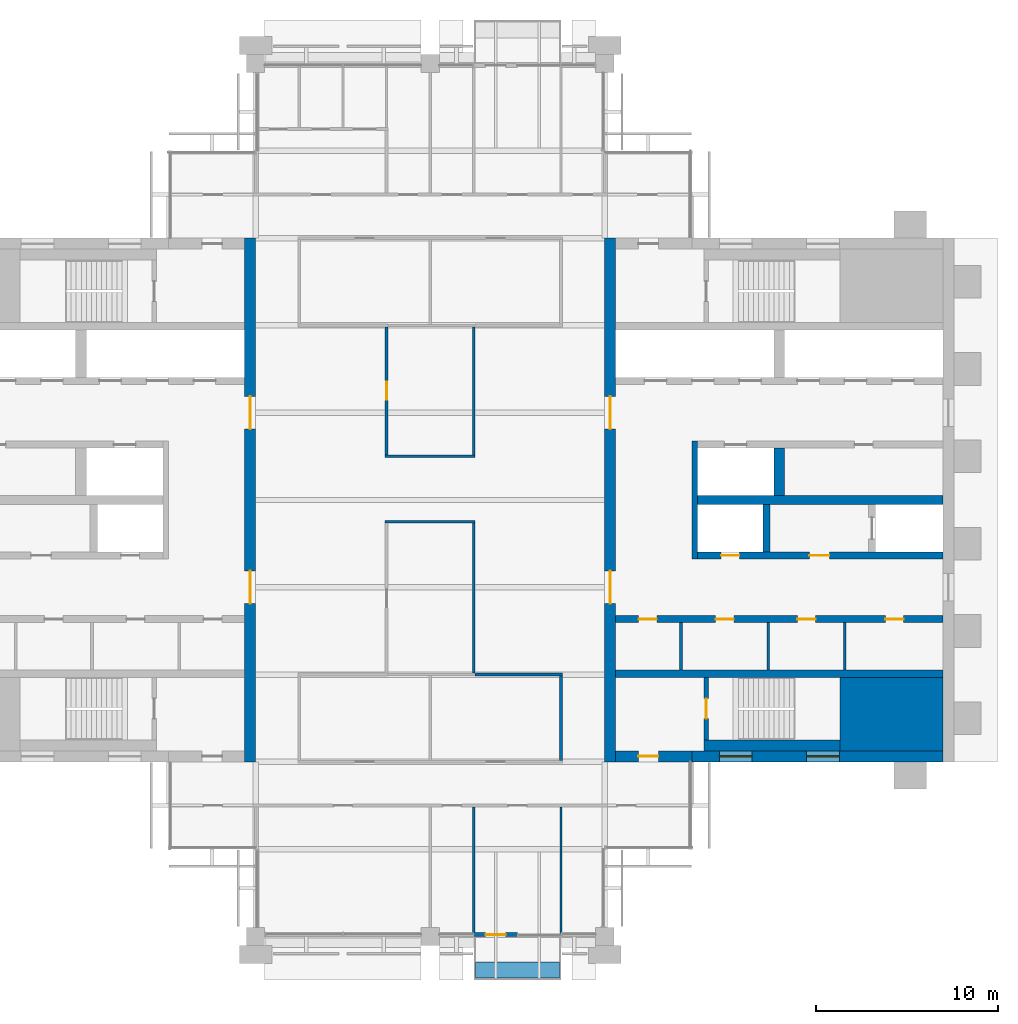
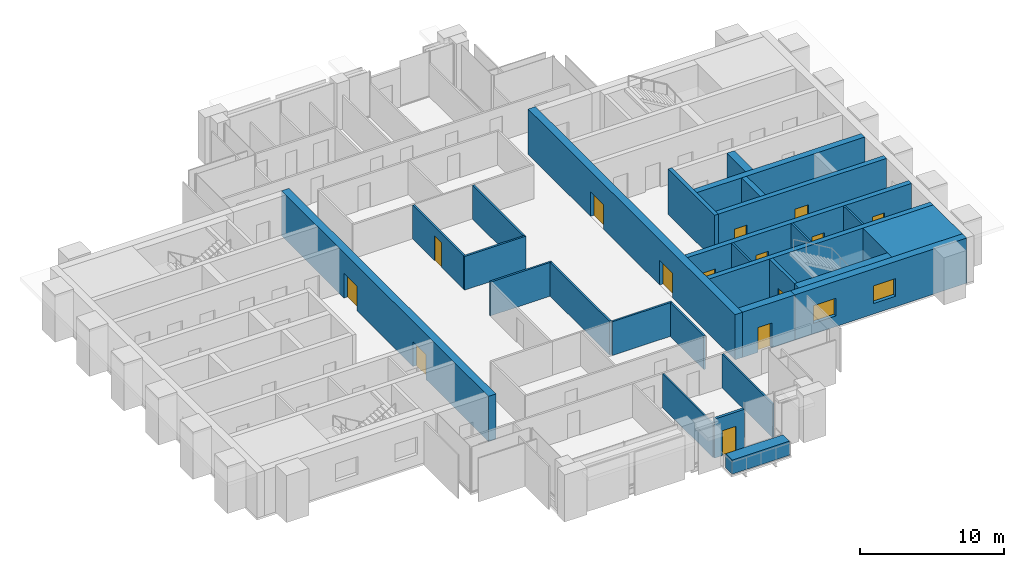
# One storey, part 9 of 13: 28 walls, 14 doors, 2 windows, 16 openings.
"""IFC4 building model written with IfcOpenShell, lengths in metres."""

from ifc_helpers import new_model, si_unit, direction, frame, frame_2d, origin, place, context, subcontext, project, spatial, rectangle, extrude, material, layer, layer_set, type_object, element, fill, save


model = new_model("IFC4")

# Units and contexts
model_context = context("Model", 3, precision=1e-05, world=origin(), true_north=direction((0.0, 1.0)))
body_context = subcontext(model_context, "Body", "Model", "MODEL_VIEW")
ifc_project = project(units=[si_unit("LENGTHUNIT", "METRE"), si_unit("AREAUNIT", "SQUARE_METRE"), si_unit("VOLUMEUNIT", "CUBIC_METRE"), si_unit("PLANEANGLEUNIT", "RADIAN"), si_unit("MASSUNIT", "GRAM", prefix="KILO")], contexts=[model_context])

# Site, building, storey
site_placement = place(None, origin())
site = spatial("IfcSite", under=ifc_project, at=site_placement, CompositionType="ELEMENT")
building_placement = place(site_placement, origin())
building = spatial("IfcBuilding", under=site, at=building_placement, Name="Baori Bourse Tower", CompositionType="ELEMENT")
storey_placement = place(building_placement, frame((0.0, 0.0, 302.300048828125)))
storey = spatial("IfcBuildingStorey", under=building, at=storey_placement, Name="L66", CompositionType="ELEMENT", Elevation=302.300048828125)

# Walls
ifc_material_1 = material(Name="Concrete f'c 40 MPa", Category="concrete")
wall_type_1 = type_object("IfcWallType", Name="Core corner block f'c 40", PredefinedType="SHEAR", material=ifc_material_1)
wall_1_placement = place(storey_placement, frame((51.35009765625, 12.22509765625, 0.0), z_axis=(0.0, 0.0, 1.0), x_axis=(1.0, 0.0, 0.0)))
element("IfcWall", 1, at=wall_1_placement, inside=storey, type_object=wall_type_1, Name="Core wall E05", PredefinedType="SHEAR", context=body_context, shape_type="SweptSolid", body=[
    extrude(rectangle(XDim=5.64990234375, YDim=4.050048828125, at=frame_2d((2.824951171875, 0.0))), origin(), (0.0, 0.0, 1.0), 3.83984375),
])
ifc_material_2 = material(Name="Blockwork partition", Category="masonry")
ifc_layer_1 = layer(ifc_material_2, 0.14990234375)
ifc_layer_set_1 = layer_set([ifc_layer_1], Name="Core partition 150")
wall_type_2 = type_object("IfcWallType", Name="Core partition 150", PredefinedType="PARTITIONING", material=ifc_layer_set_1)
for number, where, z_axis, x_axis, name in (
    (2, (51.60009765625, 14.64990234375, 0.0), (0.0, 0.0, 1.0), (0.0, 1.0, 0.0), "Partition wall E09"),
    (3, (47.39990234375, 14.64990234375, 0.0), (0.0, 0.0, 1.0), (0.0, 1.0, 0.0), "Partition wall E10"),
    (4, (42.60009765625, 14.64990234375, 0.0), (0.0, 0.0, 1.0), (0.0, 1.0, 0.0), "Partition wall E11"),
):
    element("IfcWall", number, at=place(storey_placement, frame(where, z_axis=z_axis, x_axis=x_axis)), inside=storey, type_object=wall_type_2, Name=name, PredefinedType="PARTITIONING", context=body_context, shape_type="SweptSolid", body=[
        extrude(rectangle(XDim=2.60009765625, YDim=0.14990234375, at=frame_2d((1.300048828125, 0.0))), origin(), (0.0, 0.0, 1.0), 3.83984375),
    ])

# Wall, openings, doors
ifc_material_3 = material(Name="Concrete f'c 40 MPa", Category="concrete")
ifc_layer_2 = layer(ifc_material_3, 0.60009765625)
ifc_layer_set_2 = layer_set([ifc_layer_2], Name="Core wall 600 f'c 40")
wall_type_3 = type_object("IfcWallType", Name="Core wall 600 f'c 40", PredefinedType="SHEAR", material=ifc_layer_set_2)
wall_2_placement = place(storey_placement, frame((18.89990234375, 38.39990234375, 0.0), z_axis=(0.0, 0.0, 1.0), x_axis=(0.0, -1.0, 0.0)))
wall_2 = element("IfcWall", 5, at=wall_2_placement, inside=storey, type_object=wall_type_3, Name="Core wall W04", PredefinedType="SHEAR", context=body_context, shape_type="SweptSolid", body=[
    extrude(rectangle(XDim=28.7998046875, YDim=0.60009765625, at=frame_2d((14.39990234375, 0.0))), origin(), (0.0, 0.0, 1.0), 3.83984375),
])
opening_1_placement = place(wall_2_placement, frame((18.300048828125, 0.0, 0.0)))
opening_1 = element("IfcOpeningElement", 6, at=opening_1_placement, cuts=wall_2, Name="Opening L66-D107", PredefinedType="OPENING", context=body_context, shape_type="SweptSolid", body=[
    extrude(rectangle(XDim=1.800048828125, YDim=2.10009765625, at=frame_2d((0.89990234375, 1.050048828125))), frame((0.0, 0.31005859375, 0.0), z_axis=(0.0, -1.0, 0.0), x_axis=(1.0, 0.0, 0.0)), (0.0, 0.0, 1.0), 0.6201171875),
])
opening_2_placement = place(wall_2_placement, frame((8.699951171875, 0.0, 0.0)))
opening_2 = element("IfcOpeningElement", 7, at=opening_2_placement, cuts=wall_2, Name="Opening L66-D108", PredefinedType="OPENING", context=body_context, shape_type="SweptSolid", body=[
    extrude(rectangle(XDim=1.800048828125, YDim=2.10009765625, at=frame_2d((0.89990234375, 1.050048828125))), frame((0.0, 0.31005859375, 0.0), z_axis=(0.0, -1.0, 0.0), x_axis=(1.0, 0.0, 0.0)), (0.0, 0.0, 1.0), 0.6201171875),
])
ifc_material_4 = material(Name="Painted steel door", Category="steel")
door_type_1 = type_object("IfcDoorType", Name="Core lobby door 1800", OperationType="DOUBLE_DOOR_SINGLE_SWING", PredefinedType="DOOR", material=ifc_material_4)
door_1_placement = place(opening_1_placement, origin())
door_1 = element("IfcDoor", 8, at=door_1_placement, inside=storey, type_object=door_type_1, Name="Lobby door W L66", OperationType="DOUBLE_DOOR_SINGLE_SWING", OverallHeight=2.10009765625, OverallWidth=1.800048828125, PredefinedType="DOOR", context=body_context, shape_type="SweptSolid", body=[
    extrude(rectangle(XDim=1.800048828125, YDim=2.10009765625, at=frame_2d((0.89990234375, 1.050048828125))), frame((0.0, 0.02490234375, 0.0), z_axis=(0.0, -1.0, 0.0), x_axis=(1.0, 0.0, 0.0)), (0.0, 0.0, 1.0), 0.050048828125),
])
fill(opening_1, door_1)
door_2_placement = place(opening_2_placement, origin())
door_2 = element("IfcDoor", 9, at=door_2_placement, inside=storey, type_object=door_type_1, Name="Lobby door W L66", OperationType="DOUBLE_DOOR_SINGLE_SWING", OverallHeight=2.10009765625, OverallWidth=1.800048828125, PredefinedType="DOOR", context=body_context, shape_type="SweptSolid", body=[
    extrude(rectangle(XDim=1.800048828125, YDim=2.10009765625, at=frame_2d((0.89990234375, 1.050048828125))), frame((0.0, 0.02490234375, 0.0), z_axis=(0.0, -1.0, 0.0), x_axis=(1.0, 0.0, 0.0)), (0.0, 0.0, 1.0), 0.050048828125),
])
fill(opening_2, door_2)

# Wall, openings, windows
wall_3_placement = place(storey_placement, frame((57.0, 9.89990234375, 0.0), z_axis=(0.0, 0.0, 1.0), x_axis=(-1.0, 0.0, 0.0)))
wall_3 = element("IfcWall", 10, at=wall_3_placement, inside=storey, type_object=wall_type_3, Name="Core wall E02", PredefinedType="SHEAR", context=body_context, shape_type="SweptSolid", body=[
    extrude(rectangle(XDim=13.800048828125, YDim=0.60009765625, at=frame_2d((6.89990234375, 0.0))), origin(), (0.0, 0.0, 1.0), 3.83984375),
])
opening_3_placement = place(wall_3_placement, frame((5.699951171875, 0.0, 0.89990234375)))
opening_3 = element("IfcOpeningElement", 11, at=opening_3_placement, cuts=wall_3, Name="Opening L66-KW203", PredefinedType="OPENING", context=body_context, shape_type="SweptSolid", body=[
    extrude(rectangle(XDim=1.800048828125, YDim=1.5, at=frame_2d((0.89990234375, 0.75))), frame((0.0, 0.31005859375, 0.0), z_axis=(0.0, -1.0, 0.0), x_axis=(1.0, 0.0, 0.0)), (0.0, 0.0, 1.0), 0.6201171875),
])
opening_4_placement = place(wall_3_placement, frame((10.5, 0.0, 0.89990234375)))
opening_4 = element("IfcOpeningElement", 12, at=opening_4_placement, cuts=wall_3, Name="Opening L66-KW204", PredefinedType="OPENING", context=body_context, shape_type="SweptSolid", body=[
    extrude(rectangle(XDim=1.800048828125, YDim=1.5, at=frame_2d((0.89990234375, 0.75))), frame((0.0, 0.31005859375, 0.0), z_axis=(0.0, -1.0, 0.0), x_axis=(1.0, 0.0, 0.0)), (0.0, 0.0, 1.0), 0.6201171875),
])
ifc_material_5 = material(Name="Pale anodised aluminium", Category="aluminium")
window_type = type_object("IfcWindowType", Name="Stair window 1800 x 1500", PartitioningType="SINGLE_PANEL", PredefinedType="WINDOW", material=ifc_material_5)
window_1_placement = place(opening_3_placement, origin())
window_1 = element("IfcWindow", 13, at=window_1_placement, inside=storey, type_object=window_type, Name="Stair window E L66 3", OverallHeight=1.5, OverallWidth=1.800048828125, PartitioningType="SINGLE_PANEL", PredefinedType="WINDOW", context=body_context, shape_type="SweptSolid", body=[
    extrude(rectangle(XDim=1.800048828125, YDim=1.5, at=frame_2d((0.89990234375, 0.75))), frame((0.0, 0.030029296875, 0.0), z_axis=(0.0, -1.0, 0.0), x_axis=(1.0, 0.0, 0.0)), (0.0, 0.0, 1.0), 0.06005859375),
])
fill(opening_3, window_1)
window_2_placement = place(opening_4_placement, origin())
window_2 = element("IfcWindow", 14, at=window_2_placement, inside=storey, type_object=window_type, Name="Stair window E L66 4", OverallHeight=1.5, OverallWidth=1.800048828125, PartitioningType="SINGLE_PANEL", PredefinedType="WINDOW", context=body_context, shape_type="SweptSolid", body=[
    extrude(rectangle(XDim=1.800048828125, YDim=1.5, at=frame_2d((0.89990234375, 0.75))), frame((0.0, 0.030029296875, 0.0), z_axis=(0.0, -1.0, 0.0), x_axis=(1.0, 0.0, 0.0)), (0.0, 0.0, 1.0), 0.06005859375),
])
fill(opening_4, window_2)

# Wall, opening, door
wall_4_placement = place(storey_placement, frame((43.199951171875, 9.89990234375, 0.0), z_axis=(0.0, 0.0, 1.0), x_axis=(-1.0, 0.0, 0.0)))
wall_4 = element("IfcWall", 15, at=wall_4_placement, inside=storey, type_object=wall_type_3, Name="Core wall E03", PredefinedType="SHEAR", context=body_context, shape_type="SweptSolid", body=[
    extrude(rectangle(XDim=4.199951171875, YDim=0.60009765625, at=frame_2d((2.10009765625, 0.0))), origin(), (0.0, 0.0, 1.0), 3.83984375),
])
opening_5_placement = place(wall_4_placement, frame((1.85009765625, 0.0, 0.0)))
opening_5 = element("IfcOpeningElement", 16, at=opening_5_placement, cuts=wall_4, Name="Opening L66-D202", PredefinedType="OPENING", context=body_context, shape_type="SweptSolid", body=[
    extrude(rectangle(XDim=1.10009765625, YDim=2.10009765625, at=frame_2d((0.550048828125, 1.050048828125))), frame((0.0, 0.31005859375, 0.0), z_axis=(0.0, -1.0, 0.0), x_axis=(1.0, 0.0, 0.0)), (0.0, 0.0, 1.0), 0.6201171875),
])
ifc_material_6 = material(Name="Painted steel door", Category="steel")
door_type_2 = type_object("IfcDoorType", Name="Stair door 1100", OperationType="SINGLE_SWING_LEFT", PredefinedType="DOOR", material=ifc_material_6)
door_3_placement = place(opening_5_placement, origin())
door_3 = element("IfcDoor", 17, at=door_3_placement, inside=storey, type_object=door_type_2, Name="Stair vestibule door A E L66", OperationType="SINGLE_SWING_LEFT", OverallHeight=2.10009765625, OverallWidth=1.10009765625, PredefinedType="DOOR", context=body_context, shape_type="SweptSolid", body=[
    extrude(rectangle(XDim=1.10009765625, YDim=2.10009765625, at=frame_2d((0.550048828125, 1.050048828125))), frame((0.0, 0.02490234375, 0.0), z_axis=(0.0, -1.0, 0.0), x_axis=(1.0, 0.0, 0.0)), (0.0, 0.0, 1.0), 0.050048828125),
])
fill(opening_5, door_3)

# Wall, openings, doors
wall_5_placement = place(storey_placement, frame((38.699951171875, 9.60009765625, 0.0), z_axis=(0.0, 0.0, 1.0), x_axis=(0.0, 1.0, 0.0)))
wall_5 = element("IfcWall", 18, at=wall_5_placement, inside=storey, type_object=wall_type_3, Name="Core wall E04", PredefinedType="SHEAR", context=body_context, shape_type="SweptSolid", body=[
    extrude(rectangle(XDim=28.7998046875, YDim=0.60009765625, at=frame_2d((14.39990234375, 0.0))), origin(), (0.0, 0.0, 1.0), 3.83984375),
])
opening_6_placement = place(wall_5_placement, frame((8.699951171875, 0.0, 0.0)))
opening_6 = element("IfcOpeningElement", 19, at=opening_6_placement, cuts=wall_5, Name="Opening L66-D207", PredefinedType="OPENING", context=body_context, shape_type="SweptSolid", body=[
    extrude(rectangle(XDim=1.800048828125, YDim=2.10009765625, at=frame_2d((0.89990234375, 1.050048828125))), frame((0.0, 0.31005859375, 0.0), z_axis=(0.0, -1.0, 0.0), x_axis=(1.0, 0.0, 0.0)), (0.0, 0.0, 1.0), 0.6201171875),
])
opening_7_placement = place(wall_5_placement, frame((18.300048828125, 0.0, 0.0)))
opening_7 = element("IfcOpeningElement", 20, at=opening_7_placement, cuts=wall_5, Name="Opening L66-D208", PredefinedType="OPENING", context=body_context, shape_type="SweptSolid", body=[
    extrude(rectangle(XDim=1.800048828125, YDim=2.10009765625, at=frame_2d((0.89990234375, 1.050048828125))), frame((0.0, 0.31005859375, 0.0), z_axis=(0.0, -1.0, 0.0), x_axis=(1.0, 0.0, 0.0)), (0.0, 0.0, 1.0), 0.6201171875),
])
door_4_placement = place(opening_6_placement, origin())
door_4 = element("IfcDoor", 21, at=door_4_placement, inside=storey, type_object=door_type_1, Name="Lobby door E L66", OperationType="DOUBLE_DOOR_SINGLE_SWING", OverallHeight=2.10009765625, OverallWidth=1.800048828125, PredefinedType="DOOR", context=body_context, shape_type="SweptSolid", body=[
    extrude(rectangle(XDim=1.800048828125, YDim=2.10009765625, at=frame_2d((0.89990234375, 1.050048828125))), frame((0.0, 0.02490234375, 0.0), z_axis=(0.0, -1.0, 0.0), x_axis=(1.0, 0.0, 0.0)), (0.0, 0.0, 1.0), 0.050048828125),
])
fill(opening_6, door_4)
door_5_placement = place(opening_7_placement, origin())
door_5 = element("IfcDoor", 22, at=door_5_placement, inside=storey, type_object=door_type_1, Name="Lobby door E L66", OperationType="DOUBLE_DOOR_SINGLE_SWING", OverallHeight=2.10009765625, OverallWidth=1.800048828125, PredefinedType="DOOR", context=body_context, shape_type="SweptSolid", body=[
    extrude(rectangle(XDim=1.800048828125, YDim=2.10009765625, at=frame_2d((0.89990234375, 1.050048828125))), frame((0.0, 0.02490234375, 0.0), z_axis=(0.0, -1.0, 0.0), x_axis=(1.0, 0.0, 0.0)), (0.0, 0.0, 1.0), 0.050048828125),
])
fill(opening_7, door_5)

# Walls
ifc_material_7 = material(Name="Gypsum board partition")
ifc_layer_3 = layer(ifc_material_7, 0.14990234375)
ifc_layer_set_3 = layer_set([ifc_layer_3], Name="Corridor partition 150")
wall_type_4 = type_object("IfcWallType", Name="Corridor partition 150", PredefinedType="PARTITIONING", material=ifc_layer_set_3)
wall_6_placement = place(storey_placement, frame((31.27490234375, 14.39990234375, 0.0), z_axis=(0.0, 0.0, 1.0), x_axis=(1.0, 0.0, 0.0)))
element("IfcWall", 23, at=wall_6_placement, inside=storey, type_object=wall_type_4, Name="Partition", PredefinedType="PARTITIONING", context=body_context, shape_type="SweptSolid", body=[
    extrude(rectangle(XDim=4.800048828125, YDim=0.14990234375, at=frame_2d((2.39990234375, 0.0))), origin(), (0.0, 0.0, 1.0), 2.86962890625),
])
for number, where, z_axis, x_axis, name in (
    (24, (26.324951171875, 22.800048828125, 0.0), (0.0, 0.0, 1.0), (1.0, 0.0, 0.0), "Partition"),
    (25, (26.324951171875, 26.39990234375, 0.0), (0.0, 0.0, 1.0), (1.0, 0.0, 0.0), "Partition"),
):
    element("IfcWall", number, at=place(storey_placement, frame(where, z_axis=z_axis, x_axis=x_axis)), inside=storey, type_object=wall_type_4, Name=name, PredefinedType="PARTITIONING", context=body_context, shape_type="SweptSolid", body=[
        extrude(rectangle(XDim=4.949951171875, YDim=0.14990234375, at=frame_2d((2.47509765625, 0.0))), origin(), (0.0, 0.0, 1.0), 2.86962890625),
    ])

# Wall, opening, door
wall_7_placement = place(storey_placement, frame((26.39990234375, 26.47509765625, 0.0), z_axis=(0.0, 0.0, 1.0), x_axis=(0.0, 1.0, 0.0)))
wall_7 = element("IfcWall", 26, at=wall_7_placement, inside=storey, type_object=wall_type_4, Name="Partition", PredefinedType="PARTITIONING", context=body_context, shape_type="SweptSolid", body=[
    extrude(rectangle(XDim=7.0498046875, YDim=0.14990234375, at=frame_2d((3.52490234375, 0.0))), origin(), (0.0, 0.0, 1.0), 2.86962890625),
])
opening_8_placement = place(wall_7_placement, frame((3.02490234375, 0.0, 0.0)))
opening_8 = element("IfcOpeningElement", 27, at=opening_8_placement, cuts=wall_7, Name="Opening L66-D21", PredefinedType="OPENING", context=body_context, shape_type="SweptSolid", body=[
    extrude(rectangle(XDim=1.0, YDim=2.10009765625, at=frame_2d((0.5, 1.050048828125))), frame((0.0, 0.0849609375, 0.0), z_axis=(0.0, -1.0, 0.0), x_axis=(1.0, 0.0, 0.0)), (0.0, 0.0, 1.0), 0.169921875),
])
ifc_material_8 = material(Name="Timber door leaf", Category="wood")
door_type_3 = type_object("IfcDoorType", Name="Door 1000 x 2100", OperationType="SINGLE_SWING_LEFT", PredefinedType="DOOR", material=ifc_material_8)
door_6_placement = place(opening_8_placement, origin())
door_6 = element("IfcDoor", 28, at=door_6_placement, inside=storey, type_object=door_type_3, Name="Door", OperationType="SINGLE_SWING_LEFT", OverallHeight=2.10009765625, OverallWidth=1.0, PredefinedType="DOOR", context=body_context, shape_type="SweptSolid", body=[
    extrude(rectangle(XDim=1.0, YDim=2.10009765625, at=frame_2d((0.5, 1.050048828125))), frame((0.0, 0.02490234375, 0.0), z_axis=(0.0, -1.0, 0.0), x_axis=(1.0, 0.0, 0.0)), (0.0, 0.0, 1.0), 0.050048828125),
])
fill(opening_8, door_6)

# Walls
wall_8_placement = place(storey_placement, frame((31.199951171875, 14.47509765625, 0.0), z_axis=(0.0, 0.0, 1.0), x_axis=(0.0, 1.0, 0.0)))
element("IfcWall", 29, at=wall_8_placement, inside=storey, type_object=wall_type_4, Name="Partition", PredefinedType="PARTITIONING", context=body_context, shape_type="SweptSolid", body=[
    extrude(rectangle(XDim=8.25, YDim=0.14990234375, at=frame_2d((4.125, 0.0))), origin(), (0.0, 0.0, 1.0), 2.86962890625),
])
wall_9_placement = place(storey_placement, frame((31.199951171875, 26.47509765625, 0.0), z_axis=(0.0, 0.0, 1.0), x_axis=(0.0, 1.0, 0.0)))
element("IfcWall", 30, at=wall_9_placement, inside=storey, type_object=wall_type_4, Name="Partition", PredefinedType="PARTITIONING", context=body_context, shape_type="SweptSolid", body=[
    extrude(rectangle(XDim=7.0498046875, YDim=0.14990234375, at=frame_2d((3.52490234375, 0.0))), origin(), (0.0, 0.0, 1.0), 2.86962890625),
])
wall_10_placement = place(storey_placement, frame((36.0, 9.675048828125, 0.0), z_axis=(0.0, 0.0, 1.0), x_axis=(0.0, 1.0, 0.0)))
element("IfcWall", 31, at=wall_10_placement, inside=storey, type_object=wall_type_4, Name="Partition", PredefinedType="PARTITIONING", context=body_context, shape_type="SweptSolid", body=[
    extrude(rectangle(XDim=4.64990234375, YDim=0.14990234375, at=frame_2d((2.324951171875, 0.0))), origin(), (0.0, 0.0, 1.0), 2.86962890625),
])

# Wall, opening, door
ifc_material_9 = material(Name="Pale anodised aluminium", Category="aluminium")
ifc_layer_4 = layer(ifc_material_9, 0.199951171875)
ifc_layer_set_4 = layer_set([ifc_layer_4], Name="EW1 External wall bay")
wall_type_5 = type_object("IfcWallType", Name="EW1 External wall bay", PredefinedType="SOLIDWALL", material=ifc_layer_set_4)
wall_11_placement = place(storey_placement, frame((31.199951171875, 0.10009765625, 0.0), z_axis=(0.0, 0.0, 1.0), x_axis=(1.0, 0.0, 0.0)))
wall_11 = element("IfcWall", 32, at=wall_11_placement, inside=storey, type_object=wall_type_5, Name="External wall bay L66 2", PredefinedType="SOLIDWALL", context=body_context, shape_type="SweptSolid", body=[
    extrude(rectangle(XDim=2.400146484375, YDim=0.199951171875, at=frame_2d((1.2001953125, 0.0))), origin(), (0.0, 0.0, 1.0), 3.314208984375),
])
opening_9_placement = place(wall_11_placement, frame((0.64990234375, 0.0, 0.0)))
opening_9 = element("IfcOpeningElement", 33, at=opening_9_placement, cuts=wall_11, Name="Opening L66-D92", PredefinedType="OPENING", context=body_context, shape_type="SweptSolid", body=[
    extrude(rectangle(XDim=1.10009765625, YDim=2.10009765625, at=frame_2d((0.550048828125, 1.050048828125))), frame((0.0, 0.10986328125, 0.0), z_axis=(0.0, -1.0, 0.0), x_axis=(1.0, 0.0, 0.0)), (0.0, 0.0, 1.0), 0.219970703125),
])
ifc_material_10 = material(Name="Pale anodised aluminium", Category="aluminium")
door_type_4 = type_object("IfcDoorType", Name="BL1 Balcony door", OperationType="SINGLE_SWING_LEFT", PredefinedType="DOOR", material=ifc_material_10)
door_7_placement = place(opening_9_placement, origin())
door_7 = element("IfcDoor", 34, at=door_7_placement, inside=storey, type_object=door_type_4, Name="Balcony door L66 2", OperationType="SINGLE_SWING_LEFT", OverallHeight=2.10009765625, OverallWidth=1.10009765625, PredefinedType="DOOR", context=body_context, shape_type="SweptSolid", body=[
    extrude(rectangle(XDim=1.10009765625, YDim=2.10009765625, at=frame_2d((0.550048828125, 1.050048828125))), frame((0.0, 0.02490234375, 0.0), z_axis=(0.0, -1.0, 0.0), x_axis=(1.0, 0.0, 0.0)), (0.0, 0.0, 1.0), 0.050048828125),
])
fill(opening_9, door_7)

# Walls
ifc_material_11 = material(Name="Concrete f'c 40 MPa", Category="concrete")
ifc_layer_5 = layer(ifc_material_11, 0.89990234375)
ifc_layer_set_5 = layer_set([ifc_layer_5], Name="PW1 Planter wall")
wall_type_6 = type_object("IfcWallType", Name="PW1 Planter wall", PredefinedType="USERDEFINED", material=ifc_layer_set_5)
wall_12_placement = place(storey_placement, frame((31.300048828125, -1.85009765625, 0.0), z_axis=(0.0, 0.0, 1.0), x_axis=(1.0, 0.0, 0.0)))
element("IfcWall", 35, at=wall_12_placement, inside=storey, type_object=wall_type_6, Name="Planter balcony S L66 1", ObjectType="PLANTER", PredefinedType="USERDEFINED", context=body_context, shape_type="SweptSolid", body=[
    extrude(rectangle(XDim=4.599853515625, YDim=0.89990234375, at=frame_2d((2.2998046875, 0.0))), origin(), (0.0, 0.0, 1.0), 1.199951171875),
])
ifc_material_12 = material(Name="Gypsum board partition")
ifc_layer_6 = layer(ifc_material_12, 0.125)
ifc_layer_set_6 = layer_set([ifc_layer_6], Name="Partition 125")
wall_type_7 = type_object("IfcWallType", Name="Partition 125", PredefinedType="PARTITIONING", material=ifc_layer_set_6)
for number, where, z_axis, x_axis, name in (
    (36, (31.199951171875, 0.10009765625, 0.0), (0.0, 0.0, 1.0), (0.0, 1.0, 0.0), "Partition"),
    (37, (36.0, 0.10009765625, 0.0), (0.0, 0.0, 1.0), (0.0, 1.0, 0.0), "Partition"),
):
    element("IfcWall", number, at=place(storey_placement, frame(where, z_axis=z_axis, x_axis=x_axis)), inside=storey, type_object=wall_type_7, Name=name, PredefinedType="PARTITIONING", context=body_context, shape_type="SweptSolid", body=[
        extrude(rectangle(XDim=7.02490234375, YDim=0.125, at=frame_2d((3.512451171875, 0.0))), origin(), (0.0, 0.0, 1.0), 2.86962890625),
    ])

# Wall, opening, door
ifc_material_13 = material(Name="Concrete f'c 40 MPa", Category="concrete")
ifc_layer_7 = layer(ifc_material_13, 0.25)
ifc_layer_set_7 = layer_set([ifc_layer_7], Name="Shaft wall 250 f'c 40")
wall_type_8 = type_object("IfcWallType", Name="Shaft wall 250 f'c 40", PredefinedType="SHEAR", material=ifc_layer_set_7)
wall_13_placement = place(storey_placement, frame((43.97509765625, 10.800048828125, 0.0), z_axis=(0.0, 0.0, 1.0), x_axis=(0.0, 1.0, 0.0)))
wall_13 = element("IfcWall", 38, at=wall_13_placement, inside=storey, type_object=wall_type_8, Name="Core wall E07", PredefinedType="SHEAR", context=body_context, shape_type="SweptSolid", body=[
    extrude(rectangle(XDim=3.449951171875, YDim=0.25, at=frame_2d((1.72509765625, 0.0))), origin(), (0.0, 0.0, 1.0), 3.83984375),
])
opening_10_placement = place(wall_13_placement, frame((1.175048828125, 0.0, 0.0)))
opening_10 = element("IfcOpeningElement", 39, at=opening_10_placement, cuts=wall_13, Name="Opening L66-D201", PredefinedType="OPENING", context=body_context, shape_type="SweptSolid", body=[
    extrude(rectangle(XDim=1.10009765625, YDim=2.10009765625, at=frame_2d((0.550048828125, 1.050048828125))), frame((0.0, 0.135009765625, 0.0), z_axis=(0.0, -1.0, 0.0), x_axis=(1.0, 0.0, 0.0)), (0.0, 0.0, 1.0), 0.27001953125),
])
door_8_placement = place(opening_10_placement, origin())
door_8 = element("IfcDoor", 40, at=door_8_placement, inside=storey, type_object=door_type_2, Name="Stair door A E L66", OperationType="SINGLE_SWING_LEFT", OverallHeight=2.10009765625, OverallWidth=1.10009765625, PredefinedType="DOOR", context=body_context, shape_type="SweptSolid", body=[
    extrude(rectangle(XDim=1.10009765625, YDim=2.10009765625, at=frame_2d((0.550048828125, 1.050048828125))), frame((0.0, 0.02490234375, 0.0), z_axis=(0.0, -1.0, 0.0), x_axis=(1.0, 0.0, 0.0)), (0.0, 0.0, 1.0), 0.050048828125),
])
fill(opening_10, door_8)

# Walls
ifc_material_14 = material(Name="Concrete f'c 40 MPa", Category="concrete")
ifc_layer_8 = layer(ifc_material_14, 0.300048828125)
ifc_layer_set_8 = layer_set([ifc_layer_8], Name="Shaft wall 300 f'c 40")
wall_type_9 = type_object("IfcWallType", Name="Shaft wall 300 f'c 40", PredefinedType="SHEAR", material=ifc_layer_set_8)
wall_14_placement = place(storey_placement, frame((43.35009765625, 20.75, 0.0), z_axis=(0.0, 0.0, 1.0), x_axis=(0.0, 1.0, 0.0)))
element("IfcWall", 41, at=wall_14_placement, inside=storey, type_object=wall_type_9, Name="Core wall E14", PredefinedType="SHEAR", context=body_context, shape_type="SweptSolid", body=[
    extrude(rectangle(XDim=6.5, YDim=0.300048828125, at=frame_2d((3.25, 0.0))), origin(), (0.0, 0.0, 1.0), 3.83984375),
])
ifc_material_15 = material(Name="Concrete f'c 40 MPa", Category="concrete")
ifc_layer_9 = layer(ifc_material_15, 0.39990234375)
ifc_layer_set_9 = layer_set([ifc_layer_9], Name="Shaft wall 400 f'c 40")
wall_type_10 = type_object("IfcWallType", Name="Shaft wall 400 f'c 40", PredefinedType="SHEAR", material=ifc_layer_set_9)
wall_15_placement = place(storey_placement, frame((39.0, 14.449951171875, 0.0), z_axis=(0.0, 0.0, 1.0), x_axis=(1.0, 0.0, 0.0)))
element("IfcWall", 42, at=wall_15_placement, inside=storey, type_object=wall_type_10, Name="Core wall E08", PredefinedType="SHEAR", context=body_context, shape_type="SweptSolid", body=[
    extrude(rectangle(XDim=18.0, YDim=0.39990234375, at=frame_2d((9.0, 0.0))), origin(), (0.0, 0.0, 1.0), 3.83984375),
])

# Wall, openings, doors
wall_16_placement = place(storey_placement, frame((39.0, 17.449951171875, 0.0), z_axis=(0.0, 0.0, 1.0), x_axis=(1.0, 0.0, 0.0)))
wall_16 = element("IfcWall", 43, at=wall_16_placement, inside=storey, type_object=wall_type_10, Name="Core wall E12", PredefinedType="SHEAR", context=body_context, shape_type="SweptSolid", body=[
    extrude(rectangle(XDim=18.0, YDim=0.39990234375, at=frame_2d((9.0, 0.0))), origin(), (0.0, 0.0, 1.0), 3.83984375),
])
opening_11_placement = place(wall_16_placement, frame((14.83740234375, 0.0, 0.0)))
opening_11 = element("IfcOpeningElement", 44, at=opening_11_placement, cuts=wall_16, Name="Opening L66-D209", PredefinedType="OPENING", context=body_context, shape_type="SweptSolid", body=[
    extrude(rectangle(XDim=1.0, YDim=2.10009765625, at=frame_2d((0.5, 1.050048828125))), frame((0.0, 0.2099609375, 0.0), z_axis=(0.0, -1.0, 0.0), x_axis=(1.0, 0.0, 0.0)), (0.0, 0.0, 1.0), 0.419921875),
])
opening_12_placement = place(wall_16_placement, frame((10.0, 0.0, 0.0)))
opening_12 = element("IfcOpeningElement", 45, at=opening_12_placement, cuts=wall_16, Name="Opening L66-D210", PredefinedType="OPENING", context=body_context, shape_type="SweptSolid", body=[
    extrude(rectangle(XDim=1.0, YDim=2.10009765625, at=frame_2d((0.5, 1.050048828125))), frame((0.0, 0.2099609375, 0.0), z_axis=(0.0, -1.0, 0.0), x_axis=(1.0, 0.0, 0.0)), (0.0, 0.0, 1.0), 0.419921875),
])
opening_13_placement = place(wall_16_placement, frame((5.5, 0.0, 0.0)))
opening_13 = element("IfcOpeningElement", 46, at=opening_13_placement, cuts=wall_16, Name="Opening L66-D211", PredefinedType="OPENING", context=body_context, shape_type="SweptSolid", body=[
    extrude(rectangle(XDim=1.0, YDim=2.10009765625, at=frame_2d((0.5, 1.050048828125))), frame((0.0, 0.2099609375, 0.0), z_axis=(0.0, -1.0, 0.0), x_axis=(1.0, 0.0, 0.0)), (0.0, 0.0, 1.0), 0.419921875),
])
opening_14_placement = place(wall_16_placement, frame((1.262451171875, 0.0, 0.0)))
opening_14 = element("IfcOpeningElement", 47, at=opening_14_placement, cuts=wall_16, Name="Opening L66-D212", PredefinedType="OPENING", context=body_context, shape_type="SweptSolid", body=[
    extrude(rectangle(XDim=1.0, YDim=2.10009765625, at=frame_2d((0.5, 1.050048828125))), frame((0.0, 0.2099609375, 0.0), z_axis=(0.0, -1.0, 0.0), x_axis=(1.0, 0.0, 0.0)), (0.0, 0.0, 1.0), 0.419921875),
])
ifc_material_16 = material(Name="Painted steel door", Category="steel")
door_type_5 = type_object("IfcDoorType", Name="Core door 1000", OperationType="SINGLE_SWING_LEFT", PredefinedType="DOOR", material=ifc_material_16)
door_9_placement = place(opening_11_placement, origin())
door_9 = element("IfcDoor", 48, at=door_9_placement, inside=storey, type_object=door_type_5, Name="Men'S Wc door E L66", OperationType="SINGLE_SWING_LEFT", OverallHeight=2.10009765625, OverallWidth=1.0, PredefinedType="DOOR", context=body_context, shape_type="SweptSolid", body=[
    extrude(rectangle(XDim=1.0, YDim=2.10009765625, at=frame_2d((0.5, 1.050048828125))), frame((0.0, 0.02490234375, 0.0), z_axis=(0.0, -1.0, 0.0), x_axis=(1.0, 0.0, 0.0)), (0.0, 0.0, 1.0), 0.050048828125),
])
fill(opening_11, door_9)
door_10_placement = place(opening_12_placement, origin())
door_10 = element("IfcDoor", 49, at=door_10_placement, inside=storey, type_object=door_type_5, Name="Accessible Wc door E L66", OperationType="SINGLE_SWING_LEFT", OverallHeight=2.10009765625, OverallWidth=1.0, PredefinedType="DOOR", context=body_context, shape_type="SweptSolid", body=[
    extrude(rectangle(XDim=1.0, YDim=2.10009765625, at=frame_2d((0.5, 1.050048828125))), frame((0.0, 0.02490234375, 0.0), z_axis=(0.0, -1.0, 0.0), x_axis=(1.0, 0.0, 0.0)), (0.0, 0.0, 1.0), 0.050048828125),
])
fill(opening_12, door_10)
door_11_placement = place(opening_13_placement, origin())
door_11 = element("IfcDoor", 50, at=door_11_placement, inside=storey, type_object=door_type_5, Name="Women'S Wc door E L66", OperationType="SINGLE_SWING_LEFT", OverallHeight=2.10009765625, OverallWidth=1.0, PredefinedType="DOOR", context=body_context, shape_type="SweptSolid", body=[
    extrude(rectangle(XDim=1.0, YDim=2.10009765625, at=frame_2d((0.5, 1.050048828125))), frame((0.0, 0.02490234375, 0.0), z_axis=(0.0, -1.0, 0.0), x_axis=(1.0, 0.0, 0.0)), (0.0, 0.0, 1.0), 0.050048828125),
])
fill(opening_13, door_11)
ifc_material_17 = material(Name="Painted steel door", Category="steel")
door_type_6 = type_object("IfcDoorType", Name="Plant room door 1000", OperationType="SINGLE_SWING_LEFT", PredefinedType="DOOR", material=ifc_material_17)
door_12_placement = place(opening_14_placement, origin())
door_12 = element("IfcDoor", 51, at=door_12_placement, inside=storey, type_object=door_type_6, Name="Communications Room door E L66", OperationType="SINGLE_SWING_LEFT", OverallHeight=2.10009765625, OverallWidth=1.0, PredefinedType="DOOR", context=body_context, shape_type="SweptSolid", body=[
    extrude(rectangle(XDim=1.0, YDim=2.10009765625, at=frame_2d((0.5, 1.050048828125))), frame((0.0, 0.02490234375, 0.0), z_axis=(0.0, -1.0, 0.0), x_axis=(1.0, 0.0, 0.0)), (0.0, 0.0, 1.0), 0.050048828125),
])
fill(opening_14, door_12)

wall_17_placement = place(storey_placement, frame((43.5, 20.949951171875, 0.0), z_axis=(0.0, 0.0, 1.0), x_axis=(1.0, 0.0, 0.0)))
wall_17 = element("IfcWall", 52, at=wall_17_placement, inside=storey, type_object=wall_type_10, Name="Core wall E13", PredefinedType="SHEAR", context=body_context, shape_type="SweptSolid", body=[
    extrude(rectangle(XDim=13.5, YDim=0.39990234375, at=frame_2d((6.75, 0.0))), origin(), (0.0, 0.0, 1.0), 3.83984375),
])
opening_15_placement = place(wall_17_placement, frame((6.14990234375, 0.0, 0.0)))
opening_15 = element("IfcOpeningElement", 53, at=opening_15_placement, cuts=wall_17, Name="Opening L66-D205", PredefinedType="OPENING", context=body_context, shape_type="SweptSolid", body=[
    extrude(rectangle(XDim=1.10009765625, YDim=2.10009765625, at=frame_2d((0.550048828125, 1.050048828125))), frame((0.0, 0.2099609375, 0.0), z_axis=(0.0, -1.0, 0.0), x_axis=(1.0, 0.0, 0.0)), (0.0, 0.0, 1.0), 0.419921875),
])
opening_16_placement = place(wall_17_placement, frame((1.300048828125, 0.0, 0.0)))
opening_16 = element("IfcOpeningElement", 54, at=opening_16_placement, cuts=wall_17, Name="Opening L66-D206", PredefinedType="OPENING", context=body_context, shape_type="SweptSolid", body=[
    extrude(rectangle(XDim=1.0, YDim=2.10009765625, at=frame_2d((0.5, 1.050048828125))), frame((0.0, 0.2099609375, 0.0), z_axis=(0.0, -1.0, 0.0), x_axis=(1.0, 0.0, 0.0)), (0.0, 0.0, 1.0), 0.419921875),
])
ifc_material_18 = material(Name="Painted steel door", Category="steel")
door_type_7 = type_object("IfcDoorType", Name="Lobby door 1100", OperationType="SINGLE_SWING_LEFT", PredefinedType="DOOR", material=ifc_material_18)
door_13_placement = place(opening_15_placement, origin())
door_13 = element("IfcDoor", 55, at=door_13_placement, inside=storey, type_object=door_type_7, Name="Firefighting lobby door E L66", OperationType="SINGLE_SWING_LEFT", OverallHeight=2.10009765625, OverallWidth=1.10009765625, PredefinedType="DOOR", context=body_context, shape_type="SweptSolid", body=[
    extrude(rectangle(XDim=1.10009765625, YDim=2.10009765625, at=frame_2d((0.550048828125, 1.050048828125))), frame((0.0, 0.02490234375, 0.0), z_axis=(0.0, -1.0, 0.0), x_axis=(1.0, 0.0, 0.0)), (0.0, 0.0, 1.0), 0.050048828125),
])
fill(opening_15, door_13)
ifc_material_19 = material(Name="Painted steel door", Category="steel")
door_type_8 = type_object("IfcDoorType", Name="Shaft door 1000", OperationType="SINGLE_SWING_LEFT", PredefinedType="DOOR", material=ifc_material_19)
door_14_placement = place(opening_16_placement, origin())
door_14 = element("IfcDoor", 56, at=door_14_placement, inside=storey, type_object=door_type_8, Name="Riser room door E L66", OperationType="SINGLE_SWING_LEFT", OverallHeight=2.10009765625, OverallWidth=1.0, PredefinedType="DOOR", context=body_context, shape_type="SweptSolid", body=[
    extrude(rectangle(XDim=1.0, YDim=2.10009765625, at=frame_2d((0.5, 1.050048828125))), frame((0.0, 0.02490234375, 0.0), z_axis=(0.0, -1.0, 0.0), x_axis=(1.0, 0.0, 0.0)), (0.0, 0.0, 1.0), 0.050048828125),
])
fill(opening_16, door_14)

# Walls
wall_18_placement = place(storey_placement, frame((47.300048828125, 21.14990234375, 0.0), z_axis=(0.0, 0.0, 1.0), x_axis=(0.0, 1.0, 0.0)))
element("IfcWall", 57, at=wall_18_placement, inside=storey, type_object=wall_type_10, Name="Core wall E16", PredefinedType="SHEAR", context=body_context, shape_type="SweptSolid", body=[
    extrude(rectangle(XDim=2.60009765625, YDim=0.39990234375, at=frame_2d((1.300048828125, 0.0))), origin(), (0.0, 0.0, 1.0), 3.83984375),
])
ifc_material_20 = material(Name="Concrete f'c 40 MPa", Category="concrete")
ifc_layer_10 = layer(ifc_material_20, 0.5)
ifc_layer_set_10 = layer_set([ifc_layer_10], Name="Shaft wall 500 f'c 40")
wall_type_11 = type_object("IfcWallType", Name="Shaft wall 500 f'c 40", PredefinedType="SHEAR", material=ifc_layer_set_10)
wall_19_placement = place(storey_placement, frame((43.5, 24.0, 0.0), z_axis=(0.0, 0.0, 1.0), x_axis=(1.0, 0.0, 0.0)))
element("IfcWall", 58, at=wall_19_placement, inside=storey, type_object=wall_type_11, Name="Core wall E17", PredefinedType="SHEAR", context=body_context, shape_type="SweptSolid", body=[
    extrude(rectangle(XDim=13.5, YDim=0.5, at=frame_2d((6.75, 0.0))), origin(), (0.0, 0.0, 1.0), 3.83984375),
])
ifc_material_21 = material(Name="Concrete f'c 40 MPa", Category="concrete")
ifc_layer_11 = layer(ifc_material_21, 0.60009765625)
ifc_layer_set_11 = layer_set([ifc_layer_11], Name="Shaft wall 600 f'c 40")
wall_type_12 = type_object("IfcWallType", Name="Shaft wall 600 f'c 40", PredefinedType="SHEAR", material=ifc_layer_set_11)
wall_20_placement = place(storey_placement, frame((43.85009765625, 10.5, 0.0), z_axis=(0.0, 0.0, 1.0), x_axis=(1.0, 0.0, 0.0)))
element("IfcWall", 59, at=wall_20_placement, inside=storey, type_object=wall_type_12, Name="Core wall E06", PredefinedType="SHEAR", context=body_context, shape_type="SweptSolid", body=[
    extrude(rectangle(XDim=7.5, YDim=0.60009765625, at=frame_2d((3.75, 0.0))), origin(), (0.0, 0.0, 1.0), 3.83984375),
])
wall_21_placement = place(storey_placement, frame((48.0, 24.25, 0.0), z_axis=(0.0, 0.0, 1.0), x_axis=(0.0, 1.0, 0.0)))
element("IfcWall", 60, at=wall_21_placement, inside=storey, type_object=wall_type_12, Name="Core wall E18", PredefinedType="SHEAR", context=body_context, shape_type="SweptSolid", body=[
    extrude(rectangle(XDim=2.60009765625, YDim=0.60009765625, at=frame_2d((1.300048828125, 0.0))), origin(), (0.0, 0.0, 1.0), 3.83984375),
])

save(model, "model.ifc")
